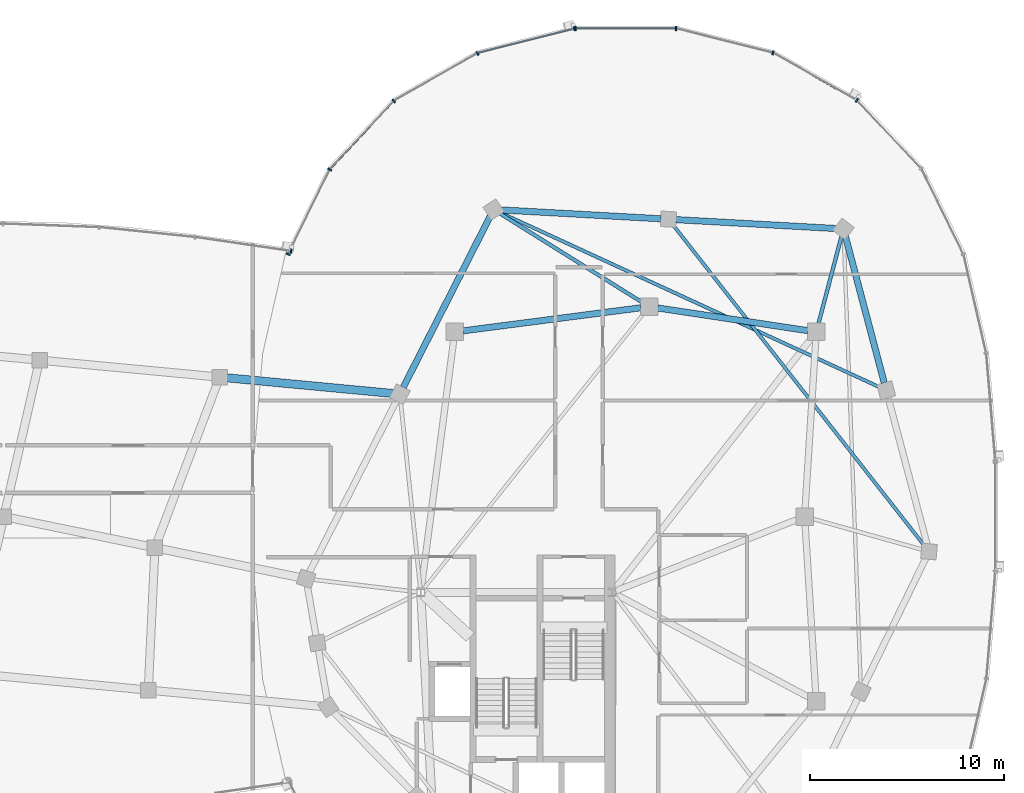
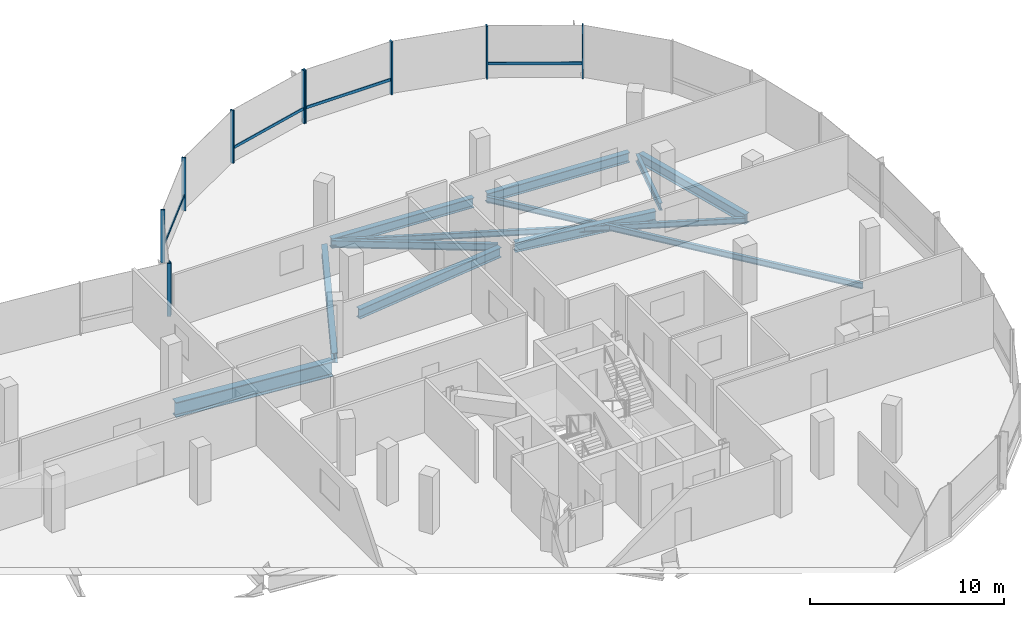
# One storey, part 10 of 26: 14 members, 11 beams, 3 elements without a shape of their own.
"""IFC4 building model written with IfcOpenShell, lengths in metres."""

from ifc_helpers import new_model, si_unit, direction, frame, origin, origin_2d, place, context, subcontext, project, spatial, rectangle, i_section, extrude, material, material_profile, profile_set, type_object, element, aggregate, save


model = new_model("IFC4")

# Units and contexts
model_context = context("Model", 3, precision=1e-05, world=origin(), true_north=direction((0.0, 1.0)))
body_context = subcontext(model_context, "Body", "Model", "MODEL_VIEW")
ifc_project = project(units=[si_unit("LENGTHUNIT", "METRE"), si_unit("AREAUNIT", "SQUARE_METRE"), si_unit("VOLUMEUNIT", "CUBIC_METRE"), si_unit("PLANEANGLEUNIT", "RADIAN"), si_unit("MASSUNIT", "GRAM", prefix="KILO"), si_unit("THERMODYNAMICTEMPERATUREUNIT", "KELVIN"), si_unit("POWERUNIT", "WATT")], contexts=[model_context])

# Site, building, storey
site_placement = place(None, origin())
site = spatial("IfcSite", under=ifc_project, at=site_placement, CompositionType="ELEMENT")
building_placement = place(site_placement, origin())
building = spatial("IfcBuilding", under=site, at=building_placement, Name="Cundina Bronze Exchange", CompositionType="ELEMENT")
storey_placement = place(building_placement, frame((0.0, 0.0, 243.199951171875)))
storey = spatial("IfcBuildingStorey", under=building, at=storey_placement, Name="L64", CompositionType="ELEMENT", Elevation=243.199951171875)

# Beams
ifc_material_1 = material(Name="Steel ASTM A992 Grade 50", Category="steel")
ifc_material_profile_1 = material_profile(ifc_material_1, i_section(OverallWidth=0.19091796875, OverallDepth=0.4599609375, WebThickness=0.010009765625, FlangeThickness=0.01611328125, FilletRadius=0.011962890625, at=origin_2d()), Name="W18X55", Category="steel")
ifc_profile_set_1 = profile_set([ifc_material_profile_1], Name="Steel ASTM A992 Grade 50")
beam_type_1 = type_object("IfcBeamType", Name="BM-FLR-W18B", PredefinedType="BEAM", material=ifc_profile_set_1)
beam_1_placement = place(storey_placement, frame((41.911865234375, 9.923583984375, -0.489990234375), z_axis=(0.255383723615, 0.96683977665, 0.0), x_axis=(-0.96683977665, 0.255383723615, 0.0)))
element("IfcBeam", 1, at=beam_1_placement, inside=storey, type_object=beam_type_1, Name="L64 Leg E Chordal Floor Beam 10", PredefinedType="BEAM", context=body_context, shape_type="SweptSolid", body=[
    extrude(i_section(OverallWidth=0.19091796875, OverallDepth=0.4599609375, WebThickness=0.010009765625, FlangeThickness=0.01611328125, FilletRadius=0.011962890625, at=origin_2d()), origin(), (0.0, 0.0, 1.0), 4.655517578125),
])
beam_2_placement = place(storey_placement, frame((32.82861328125, 11.031982421875, -0.489990234375), z_axis=(-0.847983963552, 0.530021884038, 0.0), x_axis=(-0.530021884038, -0.847983963552, 0.0)))
element("IfcBeam", 2, at=beam_2_placement, inside=storey, type_object=beam_type_1, Name="L64 Leg E Chordal Floor Beam 12", PredefinedType="BEAM", context=body_context, shape_type="SweptSolid", body=[
    extrude(i_section(OverallWidth=0.19091796875, OverallDepth=0.4599609375, WebThickness=0.010009765625, FlangeThickness=0.01611328125, FilletRadius=0.011962890625, at=origin_2d()), origin(), (0.0, 0.0, 1.0), 8.608154296875),
])
ifc_material_profile_2 = material_profile(ifc_material_1, i_section(OverallWidth=0.172119140625, OverallDepth=0.35791015625, WebThickness=0.0078125, FlangeThickness=0.01318359375, FilletRadius=0.010009765625, at=origin_2d()), Name="W14X38", Category="steel")
ifc_profile_set_2 = profile_set([ifc_material_profile_2], Name="Steel ASTM A992 Grade 50")
beam_type_2 = type_object("IfcBeamType", Name="BM-JST-W14", PredefinedType="JOIST", material=ifc_profile_set_2)
beam_3_placement = place(storey_placement, frame((47.360595703125, -1.49462890625, -0.43896484375), z_axis=(-0.616804005008, 0.78711677622, 0.0), x_axis=(-0.78711677622, -0.616804005008, 0.0)))
element("IfcBeam", 3, at=beam_3_placement, inside=storey, type_object=beam_type_2, Name="L64 Leg E Lobe Floor Joist 08-11", PredefinedType="JOIST", context=body_context, shape_type="SweptSolid", body=[
    extrude(i_section(OverallWidth=0.172119140625, OverallDepth=0.35791015625, WebThickness=0.0078125, FlangeThickness=0.01318359375, FilletRadius=0.010009765625, at=origin_2d()), origin(), (0.0, 0.0, 1.0), 20.948974609375),
])
beam_4_placement = place(storey_placement, frame((45.047607421875, 6.662353515625, -0.43896484375), z_axis=(-0.908356175703, 0.418197391266, 0.0), x_axis=(-0.418197391266, -0.908356175703, 0.0)))
element("IfcBeam", 4, at=beam_4_placement, inside=storey, type_object=beam_type_2, Name="L64 Leg E Lobe Floor Joist 09-12", PredefinedType="JOIST", context=body_context, shape_type="SweptSolid", body=[
    extrude(i_section(OverallWidth=0.172119140625, OverallDepth=0.35791015625, WebThickness=0.0078125, FlangeThickness=0.01318359375, FilletRadius=0.010009765625, at=origin_2d()), origin(), (0.0, 0.0, 1.0), 21.4619140625),
])
ifc_material_profile_3 = material_profile(ifc_material_1, i_section(OverallWidth=0.324951171875, OverallDepth=0.615966796875, WebThickness=0.013916015625, FlangeThickness=0.021484375, FilletRadius=0.01611328125, at=origin_2d()), Name="W24X117", Category="steel")
ifc_profile_set_3 = profile_set([ifc_material_profile_3], Name="Steel ASTM A992 Grade 50")
beam_type_3 = type_object("IfcBeamType", Name="BM-RING-W24", PredefinedType="USERDEFINED", material=ifc_profile_set_3)
beam_5_placement = place(storey_placement, frame((41.366943359375, 9.5654296875, -0.56787109375), z_axis=(-0.988764903598, 0.149478979839, 0.0), x_axis=(-0.149478979839, -0.988764903598, 0.0)))
element("IfcBeam", 5, at=beam_5_placement, inside=storey, type_object=beam_type_3, Name="L64 E Inner Structural Ring Girder 05", ObjectType="GIRDER", PredefinedType="USERDEFINED", context=body_context, shape_type="SweptSolid", body=[
    extrude(i_section(OverallWidth=0.324951171875, OverallDepth=0.615966796875, WebThickness=0.013916015625, FlangeThickness=0.021484375, FilletRadius=0.01611328125, at=origin_2d()), origin(), (0.0, 0.0, 1.0), 7.82177734375),
])
beam_6_placement = place(storey_placement, frame((32.765625, 10.743408203125, -0.56787109375), z_axis=(-0.991656498582, -0.128908451316, 0.0), x_axis=(0.128908451316, -0.991656498582, 0.0)))
element("IfcBeam", 6, at=beam_6_placement, inside=storey, type_object=beam_type_3, Name="L64 E Inner Structural Ring Girder 06", ObjectType="GIRDER", PredefinedType="USERDEFINED", context=body_context, shape_type="SweptSolid", body=[
    extrude(i_section(OverallWidth=0.324951171875, OverallDepth=0.615966796875, WebThickness=0.013916015625, FlangeThickness=0.021484375, FilletRadius=0.01611328125, at=origin_2d()), origin(), (0.0, 0.0, 1.0), 9.208251953125),
])
beam_7_placement = place(storey_placement, frame((45.300537109375, 6.875, -0.56787109375), z_axis=(-0.256212999207, 0.966620348967, 0.0), x_axis=(-0.966620348967, -0.256212999207, 0.0)))
element("IfcBeam", 7, at=beam_7_placement, inside=storey, type_object=beam_type_3, Name="L64 E Perimeter Ring Girder 09", ObjectType="GIRDER", PredefinedType="USERDEFINED", context=body_context, shape_type="SweptSolid", body=[
    extrude(i_section(OverallWidth=0.324951171875, OverallDepth=0.615966796875, WebThickness=0.013916015625, FlangeThickness=0.021484375, FilletRadius=0.01611328125, at=origin_2d()), origin(), (0.0, 0.0, 1.0), 7.810791015625),
])
for number, where, z_axis, x_axis, name in (
    (8, (42.8125, 14.821533203125, -0.56787109375), (-0.998459806018, 0.055479868117, 0.0), (-0.055479868117, -0.998459806018, 0.0), "L64 E Perimeter Ring Girder 10"),
    (9, (33.8125, 15.321533203125, -0.56787109375), (-0.998459806018, 0.055479868117, 0.0), (-0.055479868117, -0.998459806018, 0.0), "L64 E Perimeter Ring Girder 11"),
):
    element("IfcBeam", number, at=place(storey_placement, frame(where, z_axis=z_axis, x_axis=x_axis)), inside=storey, type_object=beam_type_3, Name=name, ObjectType="GIRDER", PredefinedType="USERDEFINED", context=body_context, shape_type="SweptSolid", body=[
        extrude(i_section(OverallWidth=0.324951171875, OverallDepth=0.615966796875, WebThickness=0.013916015625, FlangeThickness=0.021484375, FilletRadius=0.01611328125, at=origin_2d()), origin(), (0.0, 0.0, 1.0), 8.23779296875),
    ])
beam_8_placement = place(storey_placement, frame((25.0244140625, 15.4541015625, -0.56787109375), z_axis=(-0.452839263805, -0.891592171991, 0.0), x_axis=(0.891592171991, -0.452839263805, 0.0)))
element("IfcBeam", 10, at=beam_8_placement, inside=storey, type_object=beam_type_3, Name="L64 E Perimeter Ring Girder 12", ObjectType="GIRDER", PredefinedType="USERDEFINED", context=body_context, shape_type="SweptSolid", body=[
    extrude(i_section(OverallWidth=0.324951171875, OverallDepth=0.615966796875, WebThickness=0.013916015625, FlangeThickness=0.021484375, FilletRadius=0.01611328125, at=origin_2d()), origin(), (0.0, 0.0, 1.0), 9.879150390625),
])
ifc_material_profile_4 = material_profile(ifc_material_1, i_section(OverallWidth=0.423095703125, OverallDepth=0.947998046875, WebThickness=0.02392578125, FlangeThickness=0.042724609375, FilletRadius=0.02392578125, at=origin_2d()), Name="W36X302", Category="steel")
ifc_profile_set_4 = profile_set([ifc_material_profile_4], Name="Steel ASTM A992 Grade 50")
beam_type_4 = type_object("IfcBeamType", Name="BM-WRN-W36A", PredefinedType="USERDEFINED", material=ifc_profile_set_4)
beam_9_placement = place(storey_placement, frame((11.285400390625, 7.158203125, -0.7939453125), z_axis=(0.995572136276, -0.094000646124, 0.0), x_axis=(0.094000646124, 0.995572136276, 0.0)))
element("IfcBeam", 11, at=beam_9_placement, inside=storey, type_object=beam_type_4, Name="L64 Sky-Gate Longitudinal Girder Y3-P4", ObjectType="GIRDER", PredefinedType="USERDEFINED", context=body_context, shape_type="SweptSolid", body=[
    extrude(i_section(OverallWidth=0.423095703125, OverallDepth=0.947998046875, WebThickness=0.02392578125, FlangeThickness=0.042724609375, FilletRadius=0.02392578125, at=origin_2d()), origin(), (0.0, 0.0, 1.0), 8.949951171875),
])

# Curtain wall, members
ifc_material_2 = material(Name="Anodised Bronze Aluminium 6063-T6", Category="aluminium")
curtain_wall_type = type_object("IfcCurtainWallType", Name="CWS-SKG-BRG", PredefinedType="NOTDEFINED", material=ifc_material_2)
curtain_wall_1_placement = place(storey_placement, origin())
curtain_wall_1 = element("IfcCurtainWall", 12, at=curtain_wall_1_placement, inside=storey, type_object=curtain_wall_type, Name="L64 CW-06 Curtain Wall Run CWR-L64-E1", PredefinedType="NOTDEFINED")
ifc_material_profile_5 = material_profile(ifc_material_2, rectangle(XDim=0.074951171875, YDim=0.219970703125, at=origin_2d()), Name="AL75X220", Category="aluminium")
ifc_profile_set_5 = profile_set([ifc_material_profile_5], Name="Anodised Bronze Aluminium 6063-T6")
member_type_1 = type_object("IfcMemberType", Name="CWM-MUL-220", PredefinedType="MULLION", material=ifc_profile_set_5)
member_1_placement = place(storey_placement, frame((43.88916015625, 21.419921875, 0.0), z_axis=(0.0, 0.0, 1.0), x_axis=(-0.86958112538, 0.493790103568, 0.0)))
member_1 = element("IfcMember", 13, at=member_1_placement, type_object=member_type_1, Name="CW-06 Mullion 5", PredefinedType="MULLION", context=body_context, shape_type="SweptSolid", body=[
    extrude(rectangle(XDim=0.074951171875, YDim=0.219970703125, at=origin_2d()), origin(), (0.0, 0.0, 1.0), 3.340087890625),
])
member_2_placement = place(storey_placement, frame((39.5703125, 23.86181640625, 0.0), z_axis=(0.0, 0.0, 1.0), x_axis=(-0.969744325821, 0.244122802168, 0.0)))
member_2 = element("IfcMember", 14, at=member_2_placement, type_object=member_type_1, Name="CW-06 Mullion 6", PredefinedType="MULLION", context=body_context, shape_type="SweptSolid", body=[
    extrude(rectangle(XDim=0.074951171875, YDim=0.219970703125, at=origin_2d()), origin(), (0.0, 0.0, 1.0), 3.340087890625),
])
member_3_placement = place(storey_placement, frame((34.576416015625, 25.110107421875, 0.0), z_axis=(0.0, 0.0, 1.0), x_axis=(-1.0, 0.0, 0.0)))
member_3 = element("IfcMember", 15, at=member_3_placement, type_object=member_type_1, Name="CW-06 Mullion 7", PredefinedType="MULLION", context=body_context, shape_type="SweptSolid", body=[
    extrude(rectangle(XDim=0.074951171875, YDim=0.219970703125, at=origin_2d()), origin(), (0.0, 0.0, 1.0), 3.340087890625),
])
member_4_placement = place(storey_placement, frame((29.423583984375, 25.110107421875, 0.0), z_axis=(0.0, 0.0, 1.0), x_axis=(-1.0, 0.0, 0.0)))
member_4 = element("IfcMember", 16, at=member_4_placement, type_object=member_type_1, Name="CW-06 End Mullion", PredefinedType="MULLION", context=body_context, shape_type="SweptSolid", body=[
    extrude(rectangle(XDim=0.074951171875, YDim=0.219970703125, at=origin_2d()), origin(), (0.0, 0.0, 1.0), 3.340087890625),
])

curtain_wall_2_placement = place(storey_placement, origin())
curtain_wall_2 = element("IfcCurtainWall", 17, at=curtain_wall_2_placement, inside=storey, type_object=curtain_wall_type, Name="L64 CW-06 Curtain Wall Run CWR-L64-E2", PredefinedType="NOTDEFINED")
member_5_placement = place(storey_placement, frame((29.351806640625, 25.10107421875, 0.0), z_axis=(0.0, 0.0, 1.0), x_axis=(-0.969744325821, -0.244122802168, 0.0)))
member_5 = element("IfcMember", 18, at=member_5_placement, type_object=member_type_1, Name="CW-06 Mullion 1", PredefinedType="MULLION", context=body_context, shape_type="SweptSolid", body=[
    extrude(rectangle(XDim=0.074951171875, YDim=0.219970703125, at=origin_2d()), origin(), (0.0, 0.0, 1.0), 3.340087890625),
])
member_6_placement = place(storey_placement, frame((24.365478515625, 23.8359375, 0.0), z_axis=(0.0, 0.0, 1.0), x_axis=(-0.86958112538, -0.493790103568, 0.0)))
member_6 = element("IfcMember", 19, at=member_6_placement, type_object=member_type_1, Name="CW-06 Mullion 2", PredefinedType="MULLION", context=body_context, shape_type="SweptSolid", body=[
    extrude(rectangle(XDim=0.074951171875, YDim=0.219970703125, at=origin_2d()), origin(), (0.0, 0.0, 1.0), 3.340087890625),
])
member_7_placement = place(storey_placement, frame((20.059814453125, 21.3798828125, 0.0), z_axis=(0.0, 0.0, 1.0), x_axis=(-0.684292606175, -0.729207535023, 0.0)))
member_7 = element("IfcMember", 20, at=member_7_placement, type_object=member_type_1, Name="CW-06 Mullion 3", PredefinedType="MULLION", context=body_context, shape_type="SweptSolid", body=[
    extrude(rectangle(XDim=0.074951171875, YDim=0.219970703125, at=origin_2d()), origin(), (0.0, 0.0, 1.0), 3.340087890625),
])
member_8_placement = place(storey_placement, frame((16.7666015625, 17.856689453125, 0.0), z_axis=(0.0, 0.0, 1.0), x_axis=(-0.440566004113, -0.897720221461, 0.0)))
member_8 = element("IfcMember", 21, at=member_8_placement, type_object=member_type_1, Name="CW-06 Mullion 4", PredefinedType="MULLION", context=body_context, shape_type="SweptSolid", body=[
    extrude(rectangle(XDim=0.074951171875, YDim=0.219970703125, at=origin_2d()), origin(), (0.0, 0.0, 1.0), 3.340087890625),
])
member_9_placement = place(storey_placement, frame((14.630859375, 13.50390625, 0.0), z_axis=(0.0, 0.0, 1.0), x_axis=(-0.440566004113, -0.897720221461, 0.0)))
member_9 = element("IfcMember", 22, at=member_9_placement, type_object=member_type_1, Name="CW-06 End Mullion", PredefinedType="MULLION", context=body_context, shape_type="SweptSolid", body=[
    extrude(rectangle(XDim=0.074951171875, YDim=0.219970703125, at=origin_2d()), origin(), (0.0, 0.0, 1.0), 3.340087890625),
])

# Curtain wall, member
curtain_wall_3_placement = place(storey_placement, origin())
curtain_wall_3 = element("IfcCurtainWall", 23, at=curtain_wall_3_placement, inside=storey, type_object=curtain_wall_type, Name="L64 CW-06 Curtain Wall Run CWR-L64-BRGN", PredefinedType="NOTDEFINED")
member_10_placement = place(storey_placement, frame((14.779296875, 13.658935546875, 0.0), z_axis=(0.0, 0.0, 1.0), x_axis=(-0.989525789069, 0.144356201001, 0.0)))
member_10 = element("IfcMember", 24, at=member_10_placement, type_object=member_type_1, Name="CW-06 Mullion 1", PredefinedType="MULLION", context=body_context, shape_type="SweptSolid", body=[
    extrude(rectangle(XDim=0.074951171875, YDim=0.219970703125, at=origin_2d()), origin(), (0.0, 0.0, 1.0), 3.280029296875),
])
aggregate(curtain_wall_3, [member_10])

# Member
ifc_material_profile_6 = material_profile(ifc_material_2, rectangle(XDim=0.070068359375, YDim=0.179931640625, at=origin_2d()), Name="AL70X180", Category="aluminium")
ifc_profile_set_6 = profile_set([ifc_material_profile_6], Name="Anodised Bronze Aluminium 6063-T6")
member_type_2 = type_object("IfcMemberType", Name="CWM-TRN-180", PredefinedType="USERDEFINED", material=ifc_profile_set_6)
member_11_placement = place(storey_placement, frame((43.853271484375, 21.440185546875, 0.920166015625), z_axis=(-0.869557366176, 0.493831941989, 0.0), x_axis=(-0.493831941989, -0.869557366176, 0.0)))
member_11 = element("IfcMember", 25, at=member_11_placement, type_object=member_type_2, Name="CW-06 Spandrel Transom 5", ObjectType="TRANSOM", PredefinedType="USERDEFINED", context=body_context, shape_type="SweptSolid", body=[
    extrude(rectangle(XDim=0.070068359375, YDim=0.179931640625, at=origin_2d()), origin(), (0.0, 0.0, 1.0), 4.892822265625),
])

member_12_placement = place(storey_placement, frame((34.53515625, 25.110107421875, 0.920166015625), z_axis=(-1.0, 0.0, 0.0), x_axis=(0.0, -1.0, 0.0)))
member_12 = element("IfcMember", 26, at=member_12_placement, type_object=member_type_2, Name="CW-06 Spandrel Transom 7", ObjectType="TRANSOM", PredefinedType="USERDEFINED", context=body_context, shape_type="SweptSolid", body=[
    extrude(rectangle(XDim=0.070068359375, YDim=0.179931640625, at=origin_2d()), origin(), (0.0, 0.0, 1.0), 5.070556640625),
])

aggregate(curtain_wall_1, [member_1, member_11, member_2, member_3, member_4, member_12])

member_13_placement = place(storey_placement, frame((29.311767578125, 25.091064453125, 0.920166015625), z_axis=(-0.969736547481, -0.244153698478, 0.0), x_axis=(0.244153698478, -0.969736547481, 0.0)))
member_13 = element("IfcMember", 27, at=member_13_placement, type_object=member_type_2, Name="CW-06 Spandrel Transom 1", ObjectType="TRANSOM", PredefinedType="USERDEFINED", context=body_context, shape_type="SweptSolid", body=[
    extrude(rectangle(XDim=0.070068359375, YDim=0.179931640625, at=origin_2d()), origin(), (0.0, 0.0, 1.0), 5.07568359375),
])

member_14_placement = place(storey_placement, frame((20.031494140625, 21.349609375, 0.920166015625), z_axis=(-0.684328474899, -0.729173873944, 0.0), x_axis=(0.729173873944, -0.684328474899, 0.0)))
member_14 = element("IfcMember", 28, at=member_14_placement, type_object=member_type_2, Name="CW-06 Spandrel Transom 3", ObjectType="TRANSOM", PredefinedType="USERDEFINED", context=body_context, shape_type="SweptSolid", body=[
    extrude(rectangle(XDim=0.070068359375, YDim=0.179931640625, at=origin_2d()), origin(), (0.0, 0.0, 1.0), 4.758056640625),
])

aggregate(curtain_wall_2, [member_5, member_13, member_6, member_7, member_14, member_8, member_9])

save(model, "model.ifc")
